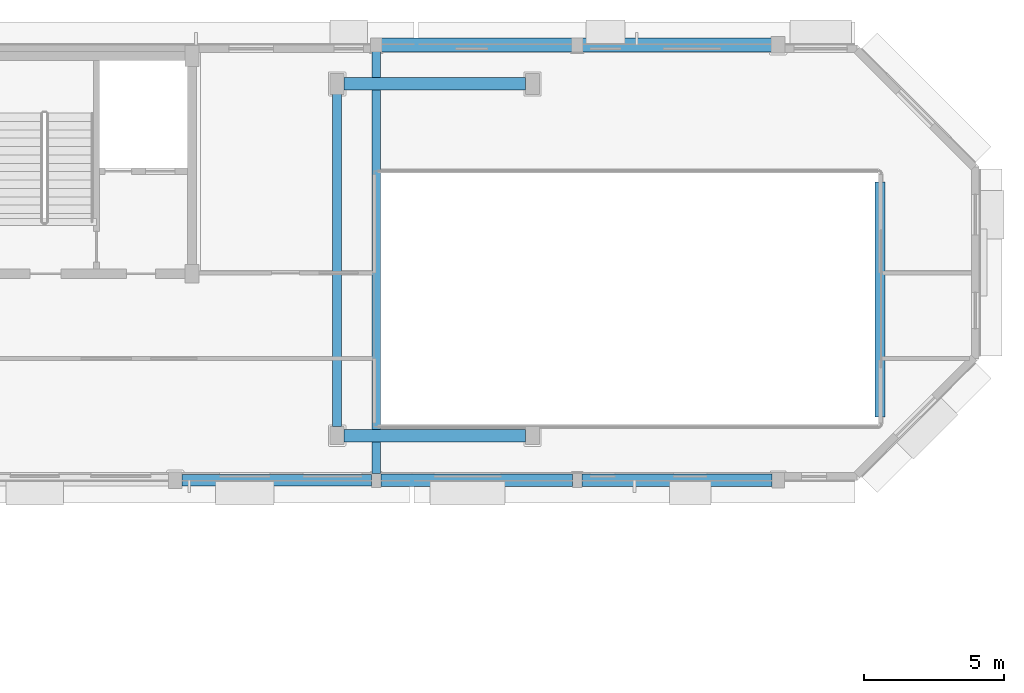
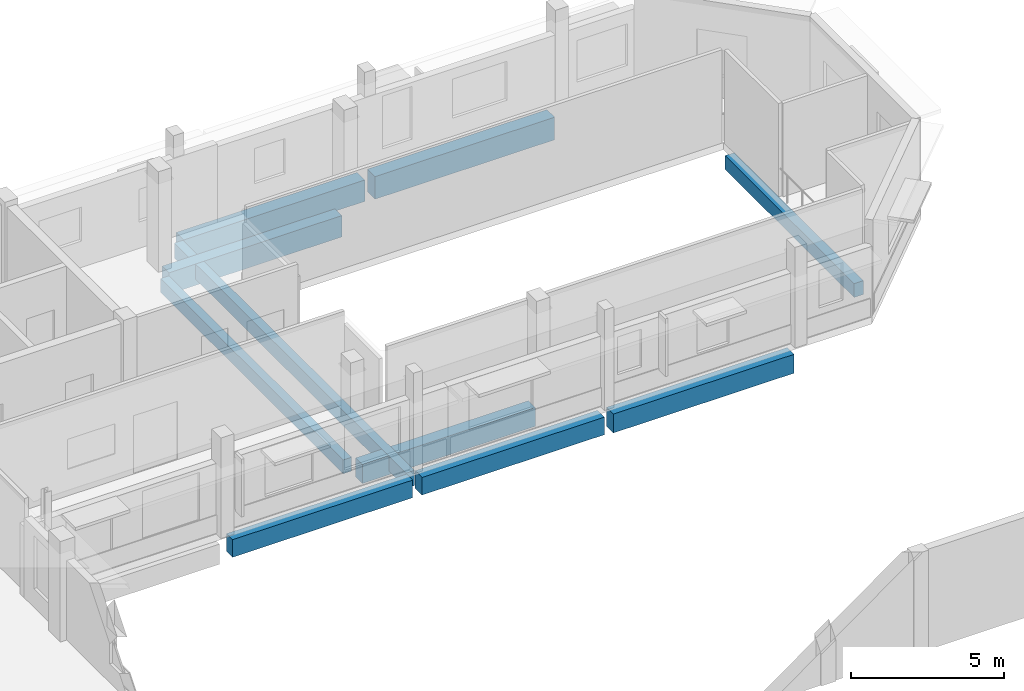
# One storey, part 45 of 89: 10 beams.
"""IFC4 building model written with IfcOpenShell, lengths in metres."""

from ifc_helpers import new_model, si_unit, direction, frame, origin, origin_2d, place, context, subcontext, project, spatial, rectangle, extrude, material, material_profile, profile_set, type_object, element, save


model = new_model("IFC4")

# Units and contexts
model_context = context("Model", 3, precision=1e-05, world=origin(), true_north=direction((0.0, 1.0)))
body_context = subcontext(model_context, "Body", "Model", "MODEL_VIEW")
ifc_project = project(units=[si_unit("LENGTHUNIT", "METRE"), si_unit("AREAUNIT", "SQUARE_METRE"), si_unit("VOLUMEUNIT", "CUBIC_METRE"), si_unit("PLANEANGLEUNIT", "RADIAN"), si_unit("MASSUNIT", "GRAM", prefix="KILO")], contexts=[model_context])

# Site, building, storey
site_placement = place(None, origin())
site = spatial("IfcSite", under=ifc_project, at=site_placement, CompositionType="ELEMENT")
building_placement = place(site_placement, origin())
building = spatial("IfcBuilding", under=site, at=building_placement, Name="Kelanivale Promenade Academy", CompositionType="ELEMENT")
storey_placement = place(building_placement, frame((0.0, 0.0, 12.199951171875)))
storey = spatial("IfcBuildingStorey", under=building, at=storey_placement, Name="L03", CompositionType="ELEMENT", Elevation=12.199951171875)

# Beams
ifc_material = material(Name="Concrete C35/45", Category="concrete")
ifc_material_profile_1 = material_profile(ifc_material, rectangle(XDim=0.39990234375, YDim=0.699951171875, at=origin_2d()), Name="RC-BM 400x700")
ifc_profile_set_1 = profile_set([ifc_material_profile_1], Name="Concrete C35/45")
beam_type_1 = type_object("IfcBeamType", Name="BM-02 RC-BM 400x700", PredefinedType="BEAM", material=ifc_profile_set_1)
beam_1_placement = place(storey_placement, frame((130.2451171875, 96.39990234375, -0.6298828125), z_axis=(1.0, 0.0, 0.0), x_axis=(0.0, 1.0, 0.0)))
element("IfcBeam", 1, at=beam_1_placement, inside=storey, type_object=beam_type_1, Name="L03 girder BM-02", PredefinedType="BEAM", context=body_context, shape_type="SweptSolid", body=[
    extrude(rectangle(XDim=0.39990234375, YDim=0.699951171875, at=origin_2d()), origin(), (0.0, 0.0, 1.0), 6.784912109375),
])
ifc_material_profile_2 = material_profile(ifc_material, rectangle(XDim=0.449951171875, YDim=0.699951171875, at=origin_2d()), Name="RC-BM 450x700")
ifc_profile_set_2 = profile_set([ifc_material_profile_2], Name="Concrete C35/45")
beam_type_2 = type_object("IfcBeamType", Name="BM-03 RC-BM 450x700", PredefinedType="BEAM", material=ifc_profile_set_2)
beam_2_placement = place(storey_placement, frame((137.3701171875, 96.39990234375, -0.6298828125), z_axis=(1.0, 0.0, 0.0), x_axis=(0.0, 1.0, 0.0)))
element("IfcBeam", 2, at=beam_2_placement, inside=storey, type_object=beam_type_2, Name="L03 girder BM-03", PredefinedType="BEAM", context=body_context, shape_type="SweptSolid", body=[
    extrude(rectangle(XDim=0.449951171875, YDim=0.699951171875, at=origin_2d()), origin(), (0.0, 0.0, 1.0), 6.85986328125),
])
ifc_material_profile_3 = material_profile(ifc_material, rectangle(XDim=0.449951171875, YDim=0.75, at=origin_2d()), Name="RC-BM 450x750")
ifc_profile_set_3 = profile_set([ifc_material_profile_3], Name="Concrete C35/45")
beam_type_3 = type_object("IfcBeamType", Name="BM-04 RC-BM 450x750", PredefinedType="BEAM", material=ifc_profile_set_3)
beam_3_placement = place(storey_placement, frame((144.570068359375, 96.39990234375, -0.655029296875), z_axis=(1.0, 0.0, 0.0), x_axis=(0.0, 1.0, 0.0)))
element("IfcBeam", 3, at=beam_3_placement, inside=storey, type_object=beam_type_3, Name="L03 girder BM-04", PredefinedType="BEAM", context=body_context, shape_type="SweptSolid", body=[
    extrude(rectangle(XDim=0.449951171875, YDim=0.75, at=origin_2d()), origin(), (0.0, 0.0, 1.0), 6.809814453125),
])
beam_4_placement = place(storey_placement, frame((136.044921875, 98.0, -0.655029296875), z_axis=(1.0, 0.0, 0.0), x_axis=(0.0, 1.0, 0.0)))
element("IfcBeam", 4, at=beam_4_placement, inside=storey, type_object=beam_type_3, Name="L03 girder BM-04", PredefinedType="BEAM", context=body_context, shape_type="SweptSolid", body=[
    extrude(rectangle(XDim=0.449951171875, YDim=0.75, at=origin_2d()), origin(), (0.0, 0.0, 1.0), 6.510009765625),
])
ifc_material_profile_4 = material_profile(ifc_material, rectangle(XDim=0.449951171875, YDim=0.85009765625, at=origin_2d()), Name="RC-BM 450x850")
ifc_profile_set_4 = profile_set([ifc_material_profile_4], Name="Concrete C35/45")
beam_type_4 = type_object("IfcBeamType", Name="BM-05 RC-BM 450x850", PredefinedType="BEAM", material=ifc_profile_set_4)
beam_5_placement = place(storey_placement, frame((136.044921875, 110.60009765625, -0.704833984375), z_axis=(1.0, 0.0, 0.0), x_axis=(0.0, 1.0, 0.0)))
element("IfcBeam", 5, at=beam_5_placement, inside=storey, type_object=beam_type_4, Name="L03 girder BM-05", PredefinedType="BEAM", context=body_context, shape_type="SweptSolid", body=[
    extrude(rectangle(XDim=0.449951171875, YDim=0.85009765625, at=origin_2d()), origin(), (0.0, 0.0, 1.0), 6.510009765625),
])
ifc_material_profile_5 = material_profile(ifc_material, rectangle(XDim=0.5, YDim=0.85009765625, at=origin_2d()), Name="RC-BM 500x850")
ifc_profile_set_5 = profile_set([ifc_material_profile_5], Name="Concrete C35/45")
beam_type_5 = type_object("IfcBeamType", Name="BM-07 RC-BM 500x850", PredefinedType="BEAM", material=ifc_profile_set_5)
beam_6_placement = place(storey_placement, frame((137.39501953125, 112.0, -0.704833984375), z_axis=(1.0, 0.0, 0.0), x_axis=(0.0, 1.0, 0.0)))
element("IfcBeam", 6, at=beam_6_placement, inside=storey, type_object=beam_type_5, Name="L03 girder BM-07", PredefinedType="BEAM", context=body_context, shape_type="SweptSolid", body=[
    extrude(rectangle(XDim=0.5, YDim=0.85009765625, at=origin_2d()), origin(), (0.0, 0.0, 1.0), 6.81005859375),
])
ifc_material_profile_6 = material_profile(ifc_material, rectangle(XDim=0.5, YDim=0.89990234375, at=origin_2d()), Name="RC-BM 500x900")
ifc_profile_set_6 = profile_set([ifc_material_profile_6], Name="Concrete C35/45")
beam_type_6 = type_object("IfcBeamType", Name="BM-08 RC-BM 500x900", PredefinedType="BEAM", material=ifc_profile_set_6)
beam_7_placement = place(storey_placement, frame((144.594970703125, 112.0, -0.72998046875), z_axis=(1.0, 0.0, 0.0), x_axis=(0.0, 1.0, 0.0)))
element("IfcBeam", 7, at=beam_7_placement, inside=storey, type_object=beam_type_6, Name="L03 girder BM-08", PredefinedType="BEAM", context=body_context, shape_type="SweptSolid", body=[
    extrude(rectangle(XDim=0.5, YDim=0.89990234375, at=origin_2d()), origin(), (0.0, 0.0, 1.0), 6.760009765625),
])
ifc_material_profile_7 = material_profile(ifc_material, rectangle(XDim=0.320068359375, YDim=0.550048828125, at=origin_2d()), Name="RC-BM 320x550")
ifc_profile_set_7 = profile_set([ifc_material_profile_7], Name="Concrete C35/45")
beam_type_7 = type_object("IfcBeamType", Name="JS-04 RC-BM 320x550", PredefinedType="JOIST", material=ifc_profile_set_7)
beam_8_placement = place(storey_placement, frame((135.800048828125, 98.320068359375, -0.554931640625), z_axis=(0.0, 1.0, 0.0), x_axis=(-1.0, 0.0, 0.0)))
element("IfcBeam", 8, at=beam_8_placement, inside=storey, type_object=beam_type_7, Name="L03 beam JS-04", PredefinedType="JOIST", context=body_context, shape_type="SweptSolid", body=[
    extrude(rectangle(XDim=0.320068359375, YDim=0.550048828125, at=origin_2d()), origin(), (0.0, 0.0, 1.0), 11.909912109375),
])
ifc_material_profile_8 = material_profile(ifc_material, rectangle(XDim=0.320068359375, YDim=0.60009765625, at=origin_2d()), Name="RC-BM 320x600")
ifc_profile_set_8 = profile_set([ifc_material_profile_8], Name="Concrete C35/45")
beam_type_8 = type_object("IfcBeamType", Name="JS-05 RC-BM 320x600", PredefinedType="JOIST", material=ifc_profile_set_8)
beam_9_placement = place(storey_placement, frame((137.199951171875, 96.64501953125, -0.579833984375), z_axis=(0.0, 1.0, 0.0), x_axis=(-1.0, 0.0, 0.0)))
element("IfcBeam", 9, at=beam_9_placement, inside=storey, type_object=beam_type_8, Name="L03 beam JS-05", PredefinedType="JOIST", context=body_context, shape_type="SweptSolid", body=[
    extrude(rectangle(XDim=0.320068359375, YDim=0.60009765625, at=origin_2d()), origin(), (0.0, 0.0, 1.0), 15.10986328125),
])
ifc_material_profile_9 = material_profile(ifc_material, rectangle(XDim=0.35009765625, YDim=0.550048828125, at=origin_2d()), Name="RC-BM 350x550")
ifc_profile_set_9 = profile_set([ifc_material_profile_9], Name="Concrete C35/45")
beam_type_9 = type_object("IfcBeamType", Name="JS-06 RC-BM 350x550", PredefinedType="JOIST", material=ifc_profile_set_9)
beam_10_placement = place(storey_placement, frame((155.25, 98.669921875, -0.554931640625), z_axis=(0.0, 1.0, 0.0), x_axis=(-1.0, 0.0, 0.0)))
element("IfcBeam", 10, at=beam_10_placement, inside=storey, type_object=beam_type_9, Name="L03 beam JS-06", PredefinedType="JOIST", context=body_context, shape_type="SweptSolid", body=[
    extrude(rectangle(XDim=0.35009765625, YDim=0.550048828125, at=origin_2d()), origin(), (0.0, 0.0, 1.0), 8.41015625),
])

save(model, "model.ifc")
